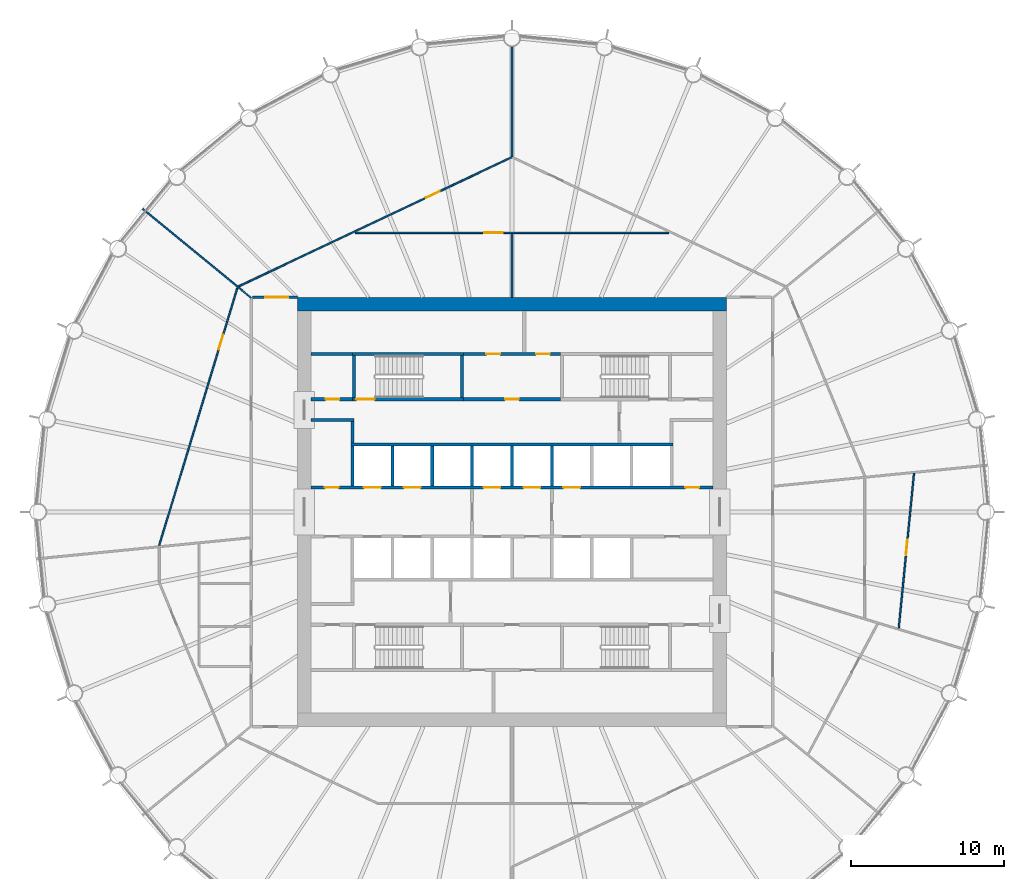
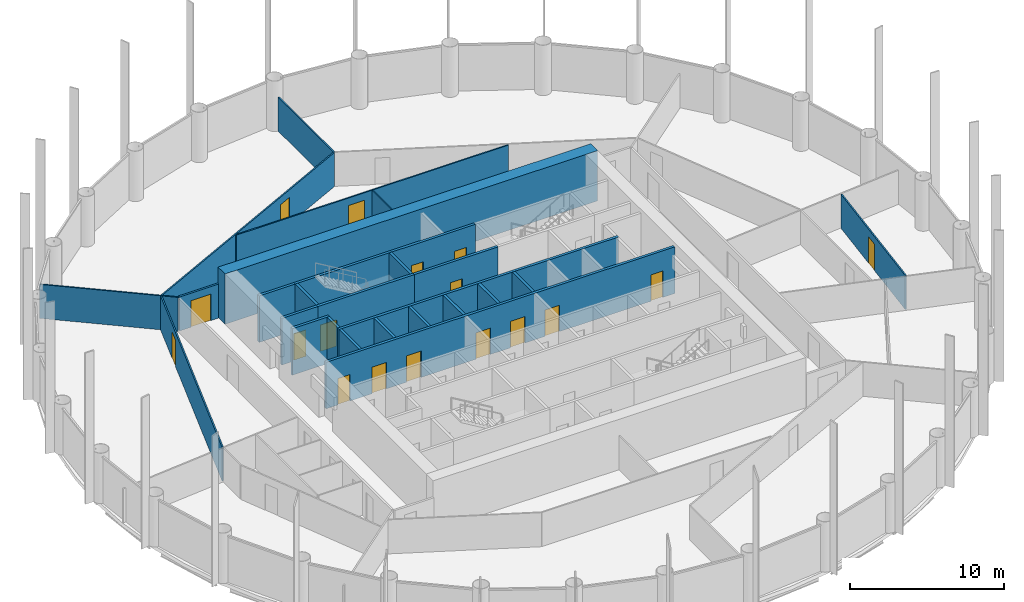
# One storey, part 6 of 8: 27 walls, 17 doors, 17 openings.
"""IFC4 building model written with IfcOpenShell, lengths in metres."""

from ifc_helpers import new_model, si_unit, direction, frame, frame_2d, origin, place, context, subcontext, project, spatial, polyline, rectangle, outline, extrude, material, layer, layer_set, type_object, element, fill, save


model = new_model("IFC4")

# Units and contexts
model_context = context("Model", 3, precision=1e-05, world=origin(), true_north=direction((0.0, 1.0)))
body_context = subcontext(model_context, "Body", "Model", "MODEL_VIEW")
ifc_project = project(units=[si_unit("LENGTHUNIT", "METRE"), si_unit("AREAUNIT", "SQUARE_METRE"), si_unit("VOLUMEUNIT", "CUBIC_METRE"), si_unit("PLANEANGLEUNIT", "RADIAN"), si_unit("MASSUNIT", "GRAM", prefix="KILO")], contexts=[model_context])

# Site, building, storey
site_placement = place(None, origin())
site = spatial("IfcSite", under=ifc_project, at=site_placement, CompositionType="ELEMENT")
building_placement = place(site_placement, origin())
building = spatial("IfcBuilding", under=site, at=building_placement, Name="Corvane Civic Tower", CompositionType="ELEMENT")
storey_placement = place(building_placement, frame((0.0, 0.0, 176.0)))
storey = spatial("IfcBuildingStorey", under=building, at=storey_placement, Name="L41", CompositionType="ELEMENT", Elevation=176.0)

# Wall
ifc_material_1 = material(Name="Concrete C60/75", Category="concrete")
ifc_layer_1 = layer(ifc_material_1, 0.89990234375)
ifc_layer_set_1 = layer_set([ifc_layer_1], Name="Concrete C60/75")
wall_type_1 = type_object("IfcWallType", Name="CORE WALL 900 C60/75", PredefinedType="SHEAR", material=ifc_layer_set_1)
wall_1_placement = place(storey_placement, frame((-14.0, 13.550048828125, 0.0), z_axis=(0.0, 0.0, 1.0), x_axis=(1.0, 0.0, 0.0)))
element("IfcWall", 1, at=wall_1_placement, inside=storey, type_object=wall_type_1, Name="W-L41-core-N", PredefinedType="SHEAR", context=body_context, shape_type="SweptSolid", body=[
    extrude(rectangle(XDim=28.0, YDim=0.89990234375, at=frame_2d((14.0, 0.0))), origin(), (0.0, 0.0, 1.0), 4.0),
])

# Wall, openings, doors
ifc_material_2 = material(Name="Concrete C30/37", Category="concrete")
ifc_layer_2 = layer(ifc_material_2, 0.199951171875)
ifc_layer_set_2 = layer_set([ifc_layer_2], Name="Concrete C30/37")
wall_type_2 = type_object("IfcWallType", Name="CR-WALL-200", PredefinedType="PARTITIONING", material=ifc_layer_set_2)
wall_2_placement = place(storey_placement, frame((-13.10009765625, 1.60009765625, 0.0), z_axis=(0.0, 0.0, 1.0), x_axis=(1.0, 0.0, 0.0)))
wall_2 = element("IfcWall", 2, at=wall_2_placement, inside=storey, type_object=wall_type_2, Name="L41 lift shaft wall", PredefinedType="PARTITIONING", context=body_context, shape_type="SweptSolid", body=[
    extrude(rectangle(XDim=26.2001953125, YDim=0.199951171875, at=frame_2d((13.10009765625, 0.0))), origin(), (0.0, 0.0, 1.0), 3.699951171875),
])
opening_1_placement = place(wall_2_placement, frame((3.449951171875, 0.0, 0.0)))
opening_1 = element("IfcOpeningElement", 3, at=opening_1_placement, cuts=wall_2, Name="Opening LD", PredefinedType="OPENING", context=body_context, shape_type="SweptSolid", body=[
    extrude(rectangle(XDim=1.10009765625, YDim=2.10009765625, at=frame_2d((0.550048828125, 1.050048828125))), frame((0.0, 0.10986328125, 0.0), z_axis=(0.0, -1.0, 0.0), x_axis=(1.0, 0.0, 0.0)), (0.0, 0.0, 1.0), 0.219970703125),
])
opening_2_placement = place(wall_2_placement, frame((6.050048828125, 0.0, 0.0)))
opening_2 = element("IfcOpeningElement", 4, at=opening_2_placement, cuts=wall_2, Name="Opening LD", PredefinedType="OPENING", context=body_context, shape_type="SweptSolid", body=[
    extrude(rectangle(XDim=1.10009765625, YDim=2.10009765625, at=frame_2d((0.550048828125, 1.050048828125))), frame((0.0, 0.10986328125, 0.0), z_axis=(0.0, -1.0, 0.0), x_axis=(1.0, 0.0, 0.0)), (0.0, 0.0, 1.0), 0.219970703125),
])
opening_3_placement = place(wall_2_placement, frame((11.25, 0.0, 0.0)))
opening_3 = element("IfcOpeningElement", 5, at=opening_3_placement, cuts=wall_2, Name="Opening LD", PredefinedType="OPENING", context=body_context, shape_type="SweptSolid", body=[
    extrude(rectangle(XDim=1.10009765625, YDim=2.10009765625, at=frame_2d((0.550048828125, 1.050048828125))), frame((0.0, 0.10986328125, 0.0), z_axis=(0.0, -1.0, 0.0), x_axis=(1.0, 0.0, 0.0)), (0.0, 0.0, 1.0), 0.219970703125),
])
opening_4_placement = place(wall_2_placement, frame((13.85009765625, 0.0, 0.0)))
opening_4 = element("IfcOpeningElement", 6, at=opening_4_placement, cuts=wall_2, Name="Opening LD", PredefinedType="OPENING", context=body_context, shape_type="SweptSolid", body=[
    extrude(rectangle(XDim=1.10009765625, YDim=2.10009765625, at=frame_2d((0.550048828125, 1.050048828125))), frame((0.0, 0.10986328125, 0.0), z_axis=(0.0, -1.0, 0.0), x_axis=(1.0, 0.0, 0.0)), (0.0, 0.0, 1.0), 0.219970703125),
])
opening_5_placement = place(wall_2_placement, frame((16.449951171875, 0.0, 0.0)))
opening_5 = element("IfcOpeningElement", 7, at=opening_5_placement, cuts=wall_2, Name="Opening LD", PredefinedType="OPENING", context=body_context, shape_type="SweptSolid", body=[
    extrude(rectangle(XDim=1.10009765625, YDim=2.10009765625, at=frame_2d((0.550048828125, 1.050048828125))), frame((0.0, 0.10986328125, 0.0), z_axis=(0.0, -1.0, 0.0), x_axis=(1.0, 0.0, 0.0)), (0.0, 0.0, 1.0), 0.219970703125),
])
opening_6_placement = place(wall_2_placement, frame((0.89990234375, 0.0, 0.0)))
opening_6 = element("IfcOpeningElement", 8, at=opening_6_placement, cuts=wall_2, Name="Opening L41.C01", PredefinedType="OPENING", context=body_context, shape_type="SweptSolid", body=[
    extrude(rectangle(XDim=0.89990234375, YDim=2.10009765625, at=frame_2d((0.449951171875, 1.050048828125))), frame((0.0, 0.10986328125, 0.0), z_axis=(0.0, -1.0, 0.0), x_axis=(1.0, 0.0, 0.0)), (0.0, 0.0, 1.0), 0.219970703125),
])
opening_7_placement = place(wall_2_placement, frame((24.39990234375, 0.0, 0.0)))
opening_7 = element("IfcOpeningElement", 9, at=opening_7_placement, cuts=wall_2, Name="Opening L41.C02", PredefinedType="OPENING", context=body_context, shape_type="SweptSolid", body=[
    extrude(rectangle(XDim=0.89990234375, YDim=2.10009765625, at=frame_2d((0.449951171875, 1.050048828125))), frame((0.0, 0.10986328125, 0.0), z_axis=(0.0, -1.0, 0.0), x_axis=(1.0, 0.0, 0.0)), (0.0, 0.0, 1.0), 0.219970703125),
])
ifc_material_3 = material(Name="Steel fire door leaf", Category="steel")
door_type_1 = type_object("IfcDoorType", Name="CR-DOOR-900", OperationType="SINGLE_SWING_LEFT", PredefinedType="DOOR", material=ifc_material_3)
door_1_placement = place(opening_6_placement, origin())
door_1 = element("IfcDoor", 10, at=door_1_placement, inside=storey, type_object=door_type_1, Name="L41 door", OperationType="SINGLE_SWING_LEFT", OverallHeight=2.10009765625, OverallWidth=0.89990234375, PredefinedType="DOOR", context=body_context, shape_type="SweptSolid", body=[
    extrude(rectangle(XDim=0.89990234375, YDim=2.10009765625, at=frame_2d((0.449951171875, 1.050048828125))), frame((0.0, 0.02490234375, 0.0), z_axis=(0.0, -1.0, 0.0), x_axis=(1.0, 0.0, 0.0)), (0.0, 0.0, 1.0), 0.050048828125),
])
fill(opening_6, door_1)
door_2_placement = place(opening_7_placement, origin())
door_2 = element("IfcDoor", 11, at=door_2_placement, inside=storey, type_object=door_type_1, Name="L41 door", OperationType="SINGLE_SWING_LEFT", OverallHeight=2.10009765625, OverallWidth=0.89990234375, PredefinedType="DOOR", context=body_context, shape_type="SweptSolid", body=[
    extrude(rectangle(XDim=0.89990234375, YDim=2.10009765625, at=frame_2d((0.449951171875, 1.050048828125))), frame((0.0, 0.02490234375, 0.0), z_axis=(0.0, -1.0, 0.0), x_axis=(1.0, 0.0, 0.0)), (0.0, 0.0, 1.0), 0.050048828125),
])
fill(opening_7, door_2)
ifc_material_4 = material(Name="Stainless steel 316 door leaves", Category="steel")
door_type_2 = type_object("IfcDoorType", Name="LD", OperationType="DOUBLE_DOOR_SLIDING", PredefinedType="DOOR", material=ifc_material_4)
door_3_placement = place(opening_1_placement, origin())
door_3 = element("IfcDoor", 12, at=door_3_placement, inside=storey, type_object=door_type_2, Name="L41 landing door", OperationType="DOUBLE_DOOR_SLIDING", OverallHeight=2.10009765625, OverallWidth=1.10009765625, PredefinedType="DOOR", context=body_context, shape_type="SweptSolid", body=[
    extrude(rectangle(XDim=1.10009765625, YDim=2.10009765625, at=frame_2d((0.550048828125, 1.050048828125))), frame((0.0, 0.02490234375, 0.0), z_axis=(0.0, -1.0, 0.0), x_axis=(1.0, 0.0, 0.0)), (0.0, 0.0, 1.0), 0.050048828125),
])
fill(opening_1, door_3)
door_4_placement = place(opening_2_placement, origin())
door_4 = element("IfcDoor", 13, at=door_4_placement, inside=storey, type_object=door_type_2, Name="L41 landing door", OperationType="DOUBLE_DOOR_SLIDING", OverallHeight=2.10009765625, OverallWidth=1.10009765625, PredefinedType="DOOR", context=body_context, shape_type="SweptSolid", body=[
    extrude(rectangle(XDim=1.10009765625, YDim=2.10009765625, at=frame_2d((0.550048828125, 1.050048828125))), frame((0.0, 0.02490234375, 0.0), z_axis=(0.0, -1.0, 0.0), x_axis=(1.0, 0.0, 0.0)), (0.0, 0.0, 1.0), 0.050048828125),
])
fill(opening_2, door_4)
door_5_placement = place(opening_3_placement, origin())
door_5 = element("IfcDoor", 14, at=door_5_placement, inside=storey, type_object=door_type_2, Name="L41 landing door", OperationType="DOUBLE_DOOR_SLIDING", OverallHeight=2.10009765625, OverallWidth=1.10009765625, PredefinedType="DOOR", context=body_context, shape_type="SweptSolid", body=[
    extrude(rectangle(XDim=1.10009765625, YDim=2.10009765625, at=frame_2d((0.550048828125, 1.050048828125))), frame((0.0, 0.02490234375, 0.0), z_axis=(0.0, -1.0, 0.0), x_axis=(1.0, 0.0, 0.0)), (0.0, 0.0, 1.0), 0.050048828125),
])
fill(opening_3, door_5)
door_6_placement = place(opening_4_placement, origin())
door_6 = element("IfcDoor", 15, at=door_6_placement, inside=storey, type_object=door_type_2, Name="L41 landing door", OperationType="DOUBLE_DOOR_SLIDING", OverallHeight=2.10009765625, OverallWidth=1.10009765625, PredefinedType="DOOR", context=body_context, shape_type="SweptSolid", body=[
    extrude(rectangle(XDim=1.10009765625, YDim=2.10009765625, at=frame_2d((0.550048828125, 1.050048828125))), frame((0.0, 0.02490234375, 0.0), z_axis=(0.0, -1.0, 0.0), x_axis=(1.0, 0.0, 0.0)), (0.0, 0.0, 1.0), 0.050048828125),
])
fill(opening_4, door_6)
door_7_placement = place(opening_5_placement, origin())
door_7 = element("IfcDoor", 16, at=door_7_placement, inside=storey, type_object=door_type_2, Name="L41 landing door", OperationType="DOUBLE_DOOR_SLIDING", OverallHeight=2.10009765625, OverallWidth=1.10009765625, PredefinedType="DOOR", context=body_context, shape_type="SweptSolid", body=[
    extrude(rectangle(XDim=1.10009765625, YDim=2.10009765625, at=frame_2d((0.550048828125, 1.050048828125))), frame((0.0, 0.02490234375, 0.0), z_axis=(0.0, -1.0, 0.0), x_axis=(1.0, 0.0, 0.0)), (0.0, 0.0, 1.0), 0.050048828125),
])
fill(opening_5, door_7)

# Wall, opening, door
wall_3_placement = place(storey_placement, frame((-13.10009765625, 7.35009765625, 0.0), z_axis=(0.0, 0.0, 1.0), x_axis=(1.0, 0.0, 0.0)))
wall_3 = element("IfcWall", 17, at=wall_3_placement, inside=storey, type_object=wall_type_2, Name="L41 core partition wall", PredefinedType="PARTITIONING", context=body_context, shape_type="SweptSolid", body=[
    extrude(rectangle(XDim=2.7001953125, YDim=0.199951171875, at=frame_2d((1.35009765625, 0.0))), origin(), (0.0, 0.0, 1.0), 3.699951171875),
])
opening_8_placement = place(wall_3_placement, frame((0.949951171875, 0.0, 0.0)))
opening_8 = element("IfcOpeningElement", 18, at=opening_8_placement, cuts=wall_3, Name="Opening L41.C12", PredefinedType="OPENING", context=body_context, shape_type="SweptSolid", body=[
    extrude(rectangle(XDim=0.89990234375, YDim=2.10009765625, at=frame_2d((0.449951171875, 1.050048828125))), frame((0.0, 0.10986328125, 0.0), z_axis=(0.0, -1.0, 0.0), x_axis=(1.0, 0.0, 0.0)), (0.0, 0.0, 1.0), 0.219970703125),
])
door_8_placement = place(opening_8_placement, origin())
door_8 = element("IfcDoor", 19, at=door_8_placement, inside=storey, type_object=door_type_1, Name="L41 door", OperationType="SINGLE_SWING_LEFT", OverallHeight=2.10009765625, OverallWidth=0.89990234375, PredefinedType="DOOR", context=body_context, shape_type="SweptSolid", body=[
    extrude(rectangle(XDim=0.89990234375, YDim=2.10009765625, at=frame_2d((0.449951171875, 1.050048828125))), frame((0.0, 0.02490234375, 0.0), z_axis=(0.0, -1.0, 0.0), x_axis=(1.0, 0.0, 0.0)), (0.0, 0.0, 1.0), 0.050048828125),
])
fill(opening_8, door_8)

wall_4_placement = place(storey_placement, frame((-3.14990234375, 7.35009765625, 0.0), z_axis=(0.0, 0.0, 1.0), x_axis=(1.0, 0.0, 0.0)))
wall_4 = element("IfcWall", 20, at=wall_4_placement, inside=storey, type_object=wall_type_2, Name="L41 core partition wall", PredefinedType="PARTITIONING", context=body_context, shape_type="SweptSolid", body=[
    extrude(rectangle(XDim=6.2998046875, YDim=0.199951171875, at=frame_2d((3.14990234375, 0.0))), origin(), (0.0, 0.0, 1.0), 3.699951171875),
])
opening_9_placement = place(wall_4_placement, frame((2.699951171875, 0.0, 0.0)))
opening_9 = element("IfcOpeningElement", 21, at=opening_9_placement, cuts=wall_4, Name="Opening L41.C06", PredefinedType="OPENING", context=body_context, shape_type="SweptSolid", body=[
    extrude(rectangle(XDim=0.89990234375, YDim=2.10009765625, at=frame_2d((0.449951171875, 1.050048828125))), frame((0.0, 0.10986328125, 0.0), z_axis=(0.0, -1.0, 0.0), x_axis=(1.0, 0.0, 0.0)), (0.0, 0.0, 1.0), 0.219970703125),
])
door_9_placement = place(opening_9_placement, origin())
door_9 = element("IfcDoor", 22, at=door_9_placement, inside=storey, type_object=door_type_1, Name="L41 door", OperationType="SINGLE_SWING_LEFT", OverallHeight=2.10009765625, OverallWidth=0.89990234375, PredefinedType="DOOR", context=body_context, shape_type="SweptSolid", body=[
    extrude(rectangle(XDim=0.89990234375, YDim=2.10009765625, at=frame_2d((0.449951171875, 1.050048828125))), frame((0.0, 0.02490234375, 0.0), z_axis=(0.0, -1.0, 0.0), x_axis=(1.0, 0.0, 0.0)), (0.0, 0.0, 1.0), 0.050048828125),
])
fill(opening_9, door_9)

# Wall, openings, doors
wall_5_placement = place(storey_placement, frame((-3.14990234375, 10.300048828125, 0.0), z_axis=(0.0, 0.0, 1.0), x_axis=(1.0, 0.0, 0.0)))
wall_5 = element("IfcWall", 23, at=wall_5_placement, inside=storey, type_object=wall_type_2, Name="L41 partition wall", PredefinedType="PARTITIONING", context=body_context, shape_type="SweptSolid", body=[
    extrude(rectangle(XDim=6.2998046875, YDim=0.199951171875, at=frame_2d((3.14990234375, 0.0))), origin(), (0.0, 0.0, 1.0), 3.699951171875),
])
opening_10_placement = place(wall_5_placement, frame((1.47509765625, 0.0, 0.0)))
opening_10 = element("IfcOpeningElement", 24, at=opening_10_placement, cuts=wall_5, Name="Opening L41.C08", PredefinedType="OPENING", context=body_context, shape_type="SweptSolid", body=[
    extrude(rectangle(XDim=0.89990234375, YDim=2.10009765625, at=frame_2d((0.449951171875, 1.050048828125))), frame((0.0, 0.10986328125, 0.0), z_axis=(0.0, -1.0, 0.0), x_axis=(1.0, 0.0, 0.0)), (0.0, 0.0, 1.0), 0.219970703125),
])
opening_11_placement = place(wall_5_placement, frame((4.72509765625, 0.0, 0.0)))
opening_11 = element("IfcOpeningElement", 25, at=opening_11_placement, cuts=wall_5, Name="Opening L41.C09", PredefinedType="OPENING", context=body_context, shape_type="SweptSolid", body=[
    extrude(rectangle(XDim=0.89990234375, YDim=2.10009765625, at=frame_2d((0.449951171875, 1.050048828125))), frame((0.0, 0.10986328125, 0.0), z_axis=(0.0, -1.0, 0.0), x_axis=(1.0, 0.0, 0.0)), (0.0, 0.0, 1.0), 0.219970703125),
])
door_10_placement = place(opening_10_placement, origin())
door_10 = element("IfcDoor", 26, at=door_10_placement, inside=storey, type_object=door_type_1, Name="L41 door", OperationType="SINGLE_SWING_LEFT", OverallHeight=2.10009765625, OverallWidth=0.89990234375, PredefinedType="DOOR", context=body_context, shape_type="SweptSolid", body=[
    extrude(rectangle(XDim=0.89990234375, YDim=2.10009765625, at=frame_2d((0.449951171875, 1.050048828125))), frame((0.0, 0.02490234375, 0.0), z_axis=(0.0, -1.0, 0.0), x_axis=(1.0, 0.0, 0.0)), (0.0, 0.0, 1.0), 0.050048828125),
])
fill(opening_10, door_10)
door_11_placement = place(opening_11_placement, origin())
door_11 = element("IfcDoor", 27, at=door_11_placement, inside=storey, type_object=door_type_1, Name="L41 door", OperationType="SINGLE_SWING_LEFT", OverallHeight=2.10009765625, OverallWidth=0.89990234375, PredefinedType="DOOR", context=body_context, shape_type="SweptSolid", body=[
    extrude(rectangle(XDim=0.89990234375, YDim=2.10009765625, at=frame_2d((0.449951171875, 1.050048828125))), frame((0.0, 0.02490234375, 0.0), z_axis=(0.0, -1.0, 0.0), x_axis=(1.0, 0.0, 0.0)), (0.0, 0.0, 1.0), 0.050048828125),
])
fill(opening_11, door_11)

# Walls
wall_6_placement = place(storey_placement, origin())
element("IfcWall", 28, at=wall_6_placement, inside=storey, type_object=wall_type_2, Name="L41 core partition wall", PredefinedType="PARTITIONING", context=body_context, shape_type="SweptSolid", body=[
    extrude(outline(polyline([(10.5, 4.5), (10.5, 4.300048828125), (-10.5, 4.300048828125), (-10.5, 4.5), (10.5, 4.5)])), origin(), (0.0, 0.0, 1.0), 3.699951171875),
])
wall_7_placement = place(storey_placement, origin())
element("IfcWall", 29, at=wall_7_placement, inside=storey, type_object=wall_type_2, Name="L41 core partition wall", PredefinedType="PARTITIONING", context=body_context, shape_type="SweptSolid", body=[
    extrude(outline(polyline([(-10.300048828125, 5.89990234375), (-13.10009765625, 5.89990234375), (-13.10009765625, 6.10009765625), (-10.300048828125, 6.10009765625), (-10.300048828125, 5.89990234375)])), origin(), (0.0, 0.0, 1.0), 3.699951171875),
])
wall_8_placement = place(storey_placement, origin())
element("IfcWall", 30, at=wall_8_placement, inside=storey, type_object=wall_type_2, Name="L41 core partition wall", PredefinedType="PARTITIONING", context=body_context, shape_type="SweptSolid", body=[
    extrude(outline(polyline([(-2.5, 1.699951171875), (-2.699951171875, 1.699951171875), (-2.699951171875, 4.2998046875), (-2.5, 4.2998046875), (-2.5, 1.699951171875)])), origin(), (0.0, 0.0, 1.0), 3.699951171875),
])
wall_9_placement = place(storey_placement, origin())
element("IfcWall", 31, at=wall_9_placement, inside=storey, type_object=wall_type_2, Name="L41 core partition wall", PredefinedType="PARTITIONING", context=body_context, shape_type="SweptSolid", body=[
    extrude(outline(polyline([(2.699951171875, 1.699951171875), (2.5, 1.699951171875), (2.5, 4.2998046875), (2.699951171875, 4.2998046875), (2.699951171875, 1.699951171875)])), origin(), (0.0, 0.0, 1.0), 3.699951171875),
])
wall_10_placement = place(storey_placement, origin())
element("IfcWall", 32, at=wall_10_placement, inside=storey, type_object=wall_type_2, Name="L41 core partition wall", PredefinedType="PARTITIONING", context=body_context, shape_type="SweptSolid", body=[
    extrude(outline(polyline([(0.10009765625, 1.699951171875), (-0.10009765625, 1.699951171875), (-0.10009765625, 4.2998046875), (0.10009765625, 4.2998046875), (0.10009765625, 1.699951171875)])), origin(), (0.0, 0.0, 1.0), 3.699951171875),
])
wall_11_placement = place(storey_placement, origin())
element("IfcWall", 33, at=wall_11_placement, inside=storey, type_object=wall_type_2, Name="L41 core partition wall", PredefinedType="PARTITIONING", context=body_context, shape_type="SweptSolid", body=[
    extrude(outline(polyline([(-10.300048828125, 1.699951171875), (-10.5, 1.699951171875), (-10.5, 4.2998046875), (-10.300048828125, 4.2998046875), (-10.300048828125, 1.699951171875)])), origin(), (0.0, 0.0, 1.0), 3.699951171875),
])
wall_12_placement = place(storey_placement, origin())
element("IfcWall", 34, at=wall_12_placement, inside=storey, type_object=wall_type_2, Name="L41 core partition wall", PredefinedType="PARTITIONING", context=body_context, shape_type="SweptSolid", body=[
    extrude(outline(polyline([(-7.699951171875, 1.699951171875), (-7.89990234375, 1.699951171875), (-7.89990234375, 4.2998046875), (-7.699951171875, 4.2998046875), (-7.699951171875, 1.699951171875)])), origin(), (0.0, 0.0, 1.0), 3.699951171875),
])
wall_13_placement = place(storey_placement, origin())
element("IfcWall", 35, at=wall_13_placement, inside=storey, type_object=wall_type_2, Name="L41 core partition wall", PredefinedType="PARTITIONING", context=body_context, shape_type="SweptSolid", body=[
    extrude(outline(polyline([(-5.10009765625, 1.699951171875), (-5.300048828125, 1.699951171875), (-5.300048828125, 4.2998046875), (-5.10009765625, 4.2998046875), (-5.10009765625, 1.699951171875)])), origin(), (0.0, 0.0, 1.0), 3.699951171875),
])
wall_14_placement = place(storey_placement, origin())
element("IfcWall", 36, at=wall_14_placement, inside=storey, type_object=wall_type_2, Name="L41 core partition wall", PredefinedType="PARTITIONING", context=body_context, shape_type="SweptSolid", body=[
    extrude(outline(polyline([(-10.300048828125, 4.5), (-10.5, 4.5), (-10.5, 5.89990234375), (-10.300048828125, 5.89990234375), (-10.300048828125, 4.5)])), origin(), (0.0, 0.0, 1.0), 3.699951171875),
])
wall_15_placement = place(storey_placement, origin())
element("IfcWall", 37, at=wall_15_placement, inside=storey, type_object=wall_type_2, Name="L41 core partition wall", PredefinedType="PARTITIONING", context=body_context, shape_type="SweptSolid", body=[
    extrude(outline(polyline([(-13.10009765625, 10.199951171875), (-13.10009765625, 10.39990234375), (-10.39990234375, 10.39990234375), (-10.39990234375, 10.199951171875), (-13.10009765625, 10.199951171875)])), origin(), (0.0, 0.0, 1.0), 3.699951171875),
])

# Wall, opening, door
ifc_material_5 = material(Name="Plasterboard")
ifc_layer_3 = layer(ifc_material_5, 0.10009765625)
ifc_layer_set_3 = layer_set([ifc_layer_3], Name="Plasterboard")
wall_type_3 = type_object("IfcWallType", Name="Partition 100 plasterboard on studs", PredefinedType="PARTITIONING", material=ifc_layer_set_3)
wall_16_placement = place(storey_placement, frame((25.216064453125, -7.586669921875, 0.0), z_axis=(0.0, 0.0, 1.0), x_axis=(0.098020959385, 0.995184350521, 0.0)))
wall_16 = element("IfcWall", 38, at=wall_16_placement, inside=storey, type_object=wall_type_3, Name="Partition L41.017", PredefinedType="PARTITIONING", context=body_context, shape_type="SweptSolid", body=[
    extrude(rectangle(XDim=10.156982421875, YDim=0.10009765625, at=frame_2d((5.07861328125, 0.0))), origin(), (0.0, 0.0, 1.0), 2.699951171875),
])
opening_12_placement = place(wall_16_placement, frame((4.80419921875, 0.0, 0.0)))
opening_12 = element("IfcOpeningElement", 39, at=opening_12_placement, cuts=wall_16, Name="Opening L41.012", PredefinedType="OPENING", context=body_context, shape_type="SweptSolid", body=[
    extrude(rectangle(XDim=1.0, YDim=2.10009765625, at=frame_2d((0.5, 1.050048828125))), frame((0.0, 0.06005859375, 0.0), z_axis=(0.0, -1.0, 0.0), x_axis=(1.0, 0.0, 0.0)), (0.0, 0.0, 1.0), 0.1201171875),
])
ifc_material_6 = material(Name="Timber", Category="wood")
door_type_3 = type_object("IfcDoorType", Name="Single door 1000", OperationType="NOTDEFINED", PredefinedType="DOOR", material=ifc_material_6)
door_12_placement = place(opening_12_placement, frame((1.0, 0.0, 0.0), z_axis=(0.0, 0.0, 1.0), x_axis=(-1.0, 0.0, 0.0)))
door_12 = element("IfcDoor", 40, at=door_12_placement, inside=storey, type_object=door_type_3, Name="Door L41.012", OperationType="SINGLE_SWING_RIGHT", OverallHeight=2.10009765625, OverallWidth=1.0, PredefinedType="DOOR", context=body_context, shape_type="SweptSolid", body=[
    extrude(rectangle(XDim=1.0, YDim=2.10009765625, at=frame_2d((0.5, 1.050048828125))), frame((0.0, 0.02490234375, 0.0), z_axis=(0.0, -1.0, 0.0), x_axis=(1.0, 0.0, 0.0)), (0.0, 0.0, 1.0), 0.050048828125),
])
fill(opening_12, door_12)

wall_17_placement = place(storey_placement, frame((-23.007568359375, -2.196533203125, 0.0), z_axis=(0.0, 0.0, 1.0), x_axis=(0.2902902072, 0.956938658224, 0.0)))
wall_17 = element("IfcWall", 41, at=wall_17_placement, inside=storey, type_object=wall_type_3, Name="Partition L41.023", PredefinedType="PARTITIONING", context=body_context, shape_type="SweptSolid", body=[
    extrude(rectangle(XDim=17.561279296875, YDim=0.10009765625, at=frame_2d((8.78076171875, 0.0))), origin(), (0.0, 0.0, 1.0), 2.699951171875),
])
opening_13_placement = place(wall_17_placement, frame((13.371826171875, 0.0, 0.0)))
opening_13 = element("IfcOpeningElement", 42, at=opening_13_placement, cuts=wall_17, Name="Opening L41.022", PredefinedType="OPENING", context=body_context, shape_type="SweptSolid", body=[
    extrude(rectangle(XDim=1.0, YDim=2.10009765625, at=frame_2d((0.5, 1.050048828125))), frame((0.0, 0.06005859375, 0.0), z_axis=(0.0, -1.0, 0.0), x_axis=(1.0, 0.0, 0.0)), (0.0, 0.0, 1.0), 0.1201171875),
])
door_13_placement = place(opening_13_placement, origin())
door_13 = element("IfcDoor", 43, at=door_13_placement, inside=storey, type_object=door_type_3, Name="Door L41.022", OperationType="SINGLE_SWING_LEFT", OverallHeight=2.10009765625, OverallWidth=1.0, PredefinedType="DOOR", context=body_context, shape_type="SweptSolid", body=[
    extrude(rectangle(XDim=1.0, YDim=2.10009765625, at=frame_2d((0.5, 1.050048828125))), frame((0.0, 0.02490234375, 0.0), z_axis=(0.0, -1.0, 0.0), x_axis=(1.0, 0.0, 0.0)), (0.0, 0.0, 1.0), 0.050048828125),
])
fill(opening_13, door_13)

# Walls
wall_18_placement = place(storey_placement, frame((-24.079345703125, 19.761474609375, 0.0), z_axis=(0.0, 0.0, 1.0), x_axis=(0.773006154143, -0.634398522742, 0.0)))
element("IfcWall", 44, at=wall_18_placement, inside=storey, type_object=wall_type_3, Name="Partition L41.026", PredefinedType="PARTITIONING", context=body_context, shape_type="SweptSolid", body=[
    extrude(rectangle(XDim=9.134521484375, YDim=0.10009765625, at=frame_2d((4.5673828125, 0.0))), origin(), (0.0, 0.0, 1.0), 2.699951171875),
])
wall_19_placement = place(storey_placement, frame((0.0, 14.0, 0.0), z_axis=(0.0, 0.0, 1.0), x_axis=(0.0, 1.0, 0.0)))
element("IfcWall", 45, at=wall_19_placement, inside=storey, type_object=wall_type_3, Name="Partition L41.029", PredefinedType="PARTITIONING", context=body_context, shape_type="SweptSolid", body=[
    extrude(rectangle(XDim=4.14990234375, YDim=0.10009765625, at=frame_2d((2.074951171875, 0.0))), origin(), (0.0, 0.0, 1.0), 2.699951171875),
])

# Wall, opening, door
wall_20_placement = place(storey_placement, frame((-17.81640625, 14.714111328125, 0.0), z_axis=(0.0, 0.0, 1.0), x_axis=(0.903992844698, 0.427547584176, 0.0)))
wall_20 = element("IfcWall", 46, at=wall_20_placement, inside=storey, type_object=wall_type_3, Name="Partition L41.031", PredefinedType="PARTITIONING", context=body_context, shape_type="SweptSolid", body=[
    extrude(rectangle(XDim=19.677001953125, YDim=0.10009765625, at=frame_2d((9.83837890625, 0.0))), origin(), (0.0, 0.0, 1.0), 2.699951171875),
])
opening_14_placement = place(wall_20_placement, frame((13.500732421875, 0.0, 0.0)))
opening_14 = element("IfcOpeningElement", 47, at=opening_14_placement, cuts=wall_20, Name="Opening L41.001", PredefinedType="OPENING", context=body_context, shape_type="SweptSolid", body=[
    extrude(rectangle(XDim=1.0, YDim=2.10009765625, at=frame_2d((0.5, 1.050048828125))), frame((0.0, 0.06005859375, 0.0), z_axis=(0.0, -1.0, 0.0), x_axis=(1.0, 0.0, 0.0)), (0.0, 0.0, 1.0), 0.1201171875),
])
door_14_placement = place(opening_14_placement, origin())
door_14 = element("IfcDoor", 48, at=door_14_placement, inside=storey, type_object=door_type_3, Name="Door L41.001", OperationType="SINGLE_SWING_LEFT", OverallHeight=2.10009765625, OverallWidth=1.0, PredefinedType="DOOR", context=body_context, shape_type="SweptSolid", body=[
    extrude(rectangle(XDim=1.0, YDim=2.10009765625, at=frame_2d((0.5, 1.050048828125))), frame((0.0, 0.02490234375, 0.0), z_axis=(0.0, -1.0, 0.0), x_axis=(1.0, 0.0, 0.0)), (0.0, 0.0, 1.0), 0.050048828125),
])
fill(opening_14, door_14)

wall_21_placement = place(storey_placement, frame((-10.22314453125, 18.199951171875, 0.0), z_axis=(0.0, 0.0, 1.0), x_axis=(1.0, 0.0, 0.0)))
wall_21 = element("IfcWall", 49, at=wall_21_placement, inside=storey, type_object=wall_type_3, Name="Partition L41.033", PredefinedType="PARTITIONING", context=body_context, shape_type="SweptSolid", body=[
    extrude(rectangle(XDim=20.4462890625, YDim=0.10009765625, at=frame_2d((10.22314453125, 0.0))), origin(), (0.0, 0.0, 1.0), 2.699951171875),
])
opening_15_placement = place(wall_21_placement, frame((8.420654296875, 0.0, 0.0)))
opening_15 = element("IfcOpeningElement", 50, at=opening_15_placement, cuts=wall_21, Name="Opening L41.003", PredefinedType="OPENING", context=body_context, shape_type="SweptSolid", body=[
    extrude(rectangle(XDim=1.199951171875, YDim=2.10009765625, at=frame_2d((0.60009765625, 1.050048828125))), frame((0.0, 0.06005859375, 0.0), z_axis=(0.0, -1.0, 0.0), x_axis=(1.0, 0.0, 0.0)), (0.0, 0.0, 1.0), 0.1201171875),
])
ifc_material_7 = material(Name="Timber", Category="wood")
door_type_4 = type_object("IfcDoorType", Name="Double door 1200", OperationType="NOTDEFINED", PredefinedType="DOOR", material=ifc_material_7)
door_15_placement = place(opening_15_placement, origin())
door_15 = element("IfcDoor", 51, at=door_15_placement, inside=storey, type_object=door_type_4, Name="Door L41.003", OperationType="DOUBLE_DOOR_SINGLE_SWING", OverallHeight=2.10009765625, OverallWidth=1.199951171875, PredefinedType="DOOR", context=body_context, shape_type="SweptSolid", body=[
    extrude(rectangle(XDim=1.199951171875, YDim=2.10009765625, at=frame_2d((0.60009765625, 1.050048828125))), frame((0.0, 0.02490234375, 0.0), z_axis=(0.0, -1.0, 0.0), x_axis=(1.0, 0.0, 0.0)), (0.0, 0.0, 1.0), 0.050048828125),
])
fill(opening_15, door_15)

# Wall
wall_22_placement = place(storey_placement, frame((0.0, 23.172119140625, 0.0), z_axis=(0.0, 0.0, 1.0), x_axis=(0.0, 1.0, 0.0)))
element("IfcWall", 52, at=wall_22_placement, inside=storey, type_object=wall_type_3, Name="Partition L41.034", PredefinedType="PARTITIONING", context=body_context, shape_type="SweptSolid", body=[
    extrude(rectangle(XDim=7.167724609375, YDim=0.10009765625, at=frame_2d((3.583984375, 0.0))), origin(), (0.0, 0.0, 1.0), 2.699951171875),
])

# Wall, opening, door
ifc_material_8 = material(Name="Concrete C50/60", Category="concrete")
ifc_layer_4 = layer(ifc_material_8, 0.199951171875)
ifc_layer_set_4 = layer_set([ifc_layer_4], Name="Concrete C50/60")
wall_type_4 = type_object("IfcWallType", Name="ST-WALL-200", PredefinedType="SHEAR", material=ifc_layer_set_4)
wall_23_placement = place(storey_placement, frame((-10.39990234375, 7.35009765625, 0.0), z_axis=(0.0, 0.0, 1.0), x_axis=(1.0, 0.0, 0.0)))
wall_23 = element("IfcWall", 53, at=wall_23_placement, inside=storey, type_object=wall_type_4, Name="L41 stair enclosure wall", PredefinedType="SHEAR", context=body_context, shape_type="SweptSolid", body=[
    extrude(rectangle(XDim=7.25, YDim=0.199951171875, at=frame_2d((3.625, 0.0))), origin(), (0.0, 0.0, 1.0), 3.699951171875),
])
opening_16_placement = place(wall_23_placement, frame((0.25, 0.0, 0.0)))
opening_16 = element("IfcOpeningElement", 54, at=opening_16_placement, cuts=wall_23, Name="Opening L41.C17", PredefinedType="OPENING", context=body_context, shape_type="SweptSolid", body=[
    extrude(rectangle(XDim=1.199951171875, YDim=2.10009765625, at=frame_2d((0.60009765625, 1.050048828125))), frame((0.0, 0.10986328125, 0.0), z_axis=(0.0, -1.0, 0.0), x_axis=(1.0, 0.0, 0.0)), (0.0, 0.0, 1.0), 0.219970703125),
])
ifc_material_9 = material(Name="Steel fire door leaf", Category="steel")
door_type_5 = type_object("IfcDoorType", Name="ST-DOOR-1200", OperationType="SINGLE_SWING_RIGHT", PredefinedType="DOOR", material=ifc_material_9)
door_16_placement = place(opening_16_placement, origin())
door_16 = element("IfcDoor", 55, at=door_16_placement, inside=storey, type_object=door_type_5, Name="L41 stair door", OperationType="SINGLE_SWING_RIGHT", OverallHeight=2.10009765625, OverallWidth=1.199951171875, PredefinedType="DOOR", context=body_context, shape_type="SweptSolid", body=[
    extrude(rectangle(XDim=1.199951171875, YDim=2.10009765625, at=frame_2d((0.60009765625, 1.050048828125))), frame((0.0, 0.02490234375, 0.0), z_axis=(0.0, -1.0, 0.0), x_axis=(1.0, 0.0, 0.0)), (0.0, 0.0, 1.0), 0.050048828125),
])
fill(opening_16, door_16)

# Walls
wall_24_placement = place(storey_placement, origin())
element("IfcWall", 56, at=wall_24_placement, inside=storey, type_object=wall_type_4, Name="L41 stair enclosure wall", PredefinedType="SHEAR", context=body_context, shape_type="SweptSolid", body=[
    extrude(outline(polyline([(-3.14990234375, 10.199951171875), (-10.39990234375, 10.199951171875), (-10.39990234375, 10.39990234375), (-3.14990234375, 10.39990234375), (-3.14990234375, 10.199951171875)])), origin(), (0.0, 0.0, 1.0), 3.699951171875),
])
wall_25_placement = place(storey_placement, origin())
element("IfcWall", 57, at=wall_25_placement, inside=storey, type_object=wall_type_4, Name="L41 stair enclosure wall", PredefinedType="SHEAR", context=body_context, shape_type="SweptSolid", body=[
    extrude(outline(polyline([(-3.14990234375, 7.449951171875), (-3.35009765625, 7.449951171875), (-3.35009765625, 10.199951171875), (-3.14990234375, 10.199951171875), (-3.14990234375, 7.449951171875)])), origin(), (0.0, 0.0, 1.0), 3.699951171875),
])
wall_26_placement = place(storey_placement, origin())
element("IfcWall", 58, at=wall_26_placement, inside=storey, type_object=wall_type_4, Name="L41 stair enclosure wall", PredefinedType="SHEAR", context=body_context, shape_type="SweptSolid", body=[
    extrude(outline(polyline([(-10.199951171875, 7.449951171875), (-10.39990234375, 7.449951171875), (-10.39990234375, 10.199951171875), (-10.199951171875, 10.199951171875), (-10.199951171875, 7.449951171875)])), origin(), (0.0, 0.0, 1.0), 3.699951171875),
])

# Wall, opening, door
ifc_material_10 = material(Name="Plasterboard")
ifc_layer_5 = layer(ifc_material_10, 0.14990234375)
ifc_layer_set_5 = layer_set([ifc_layer_5], Name="Plasterboard")
wall_type_5 = type_object("IfcWallType", Name="Tenancy wall 150 EI 60", PredefinedType="PARTITIONING", material=ifc_layer_set_5)
wall_27_placement = place(storey_placement, frame((-16.925048828125, 14.0, 0.0), z_axis=(0.0, 0.0, 1.0), x_axis=(1.0, 0.0, 0.0)))
wall_27 = element("IfcWall", 59, at=wall_27_placement, inside=storey, type_object=wall_type_5, Name="Partition L41.028", PredefinedType="PARTITIONING", context=body_context, shape_type="SweptSolid", body=[
    extrude(rectangle(XDim=2.93505859375, YDim=0.14990234375, at=frame_2d((1.467529296875, 0.0))), origin(), (0.0, 0.0, 1.0), 2.699951171875),
])
opening_17_placement = place(wall_27_placement, frame((0.849609375, 0.0, 0.0)))
opening_17 = element("IfcOpeningElement", 60, at=opening_17_placement, cuts=wall_27, Name="Opening L41.004", PredefinedType="OPENING", context=body_context, shape_type="SweptSolid", body=[
    extrude(rectangle(XDim=1.5, YDim=2.10009765625, at=frame_2d((0.75, 1.050048828125))), frame((0.0, 0.0849609375, 0.0), z_axis=(0.0, -1.0, 0.0), x_axis=(1.0, 0.0, 0.0)), (0.0, 0.0, 1.0), 0.169921875),
])
ifc_material_11 = material(Name="Steel and timber", Category="steel")
door_type_6 = type_object("IfcDoorType", Name="Fire door FD60 double 1500", OperationType="NOTDEFINED", PredefinedType="DOOR", material=ifc_material_11)
door_17_placement = place(opening_17_placement, origin())
door_17 = element("IfcDoor", 61, at=door_17_placement, inside=storey, type_object=door_type_6, Name="Door L41.004", OperationType="DOUBLE_DOOR_SINGLE_SWING", OverallHeight=2.10009765625, OverallWidth=1.5, PredefinedType="DOOR", context=body_context, shape_type="SweptSolid", body=[
    extrude(rectangle(XDim=1.5, YDim=2.10009765625, at=frame_2d((0.75, 1.050048828125))), frame((0.0, 0.02490234375, 0.0), z_axis=(0.0, -1.0, 0.0), x_axis=(1.0, 0.0, 0.0)), (0.0, 0.0, 1.0), 0.050048828125),
])
fill(opening_17, door_17)

save(model, "model.ifc")
